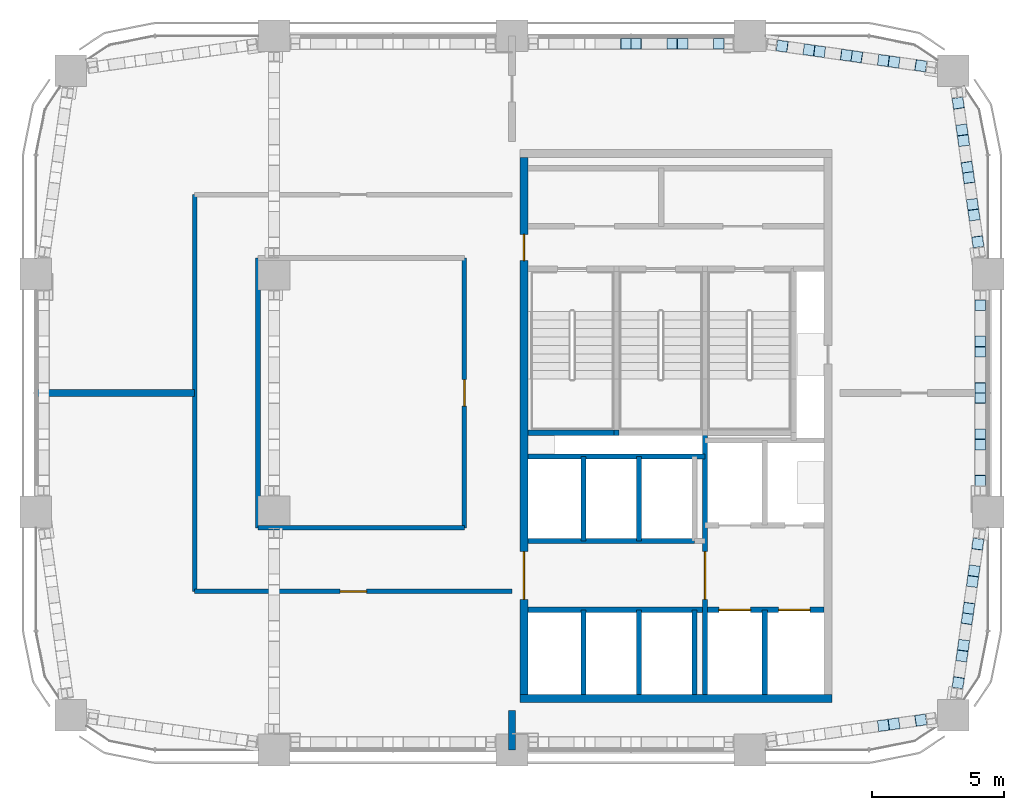
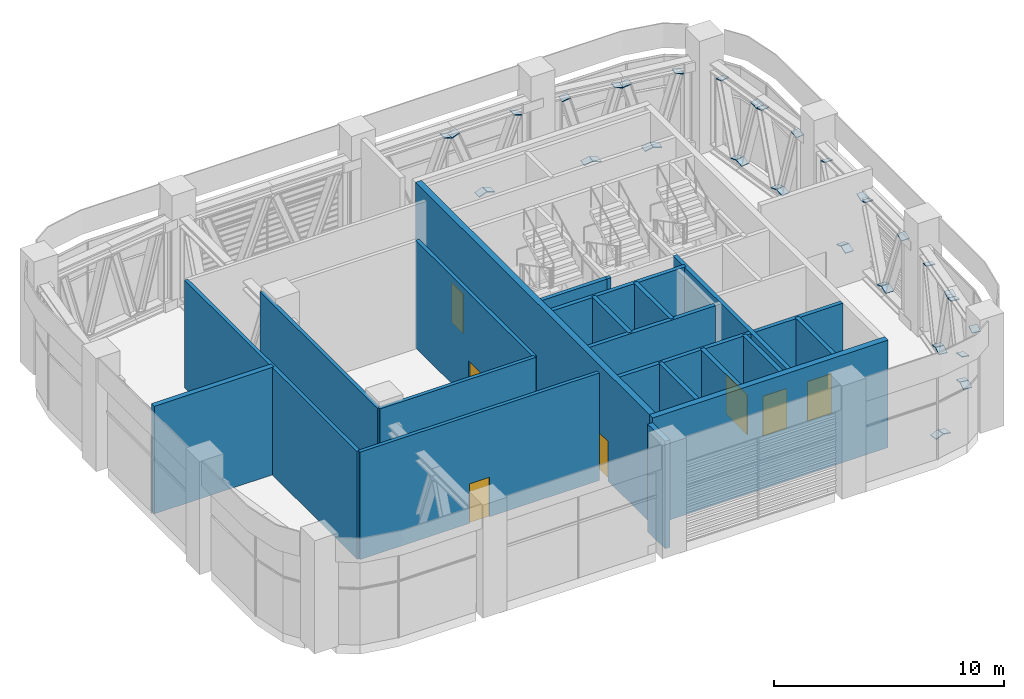
# One storey, part 9 of 14: 40 plates, 21 walls, 7 doors, 7 openings.
"""IFC4 building model written with IfcOpenShell, lengths in metres."""

import ifcopenshell
import ifcopenshell.guid

model = None  # the IFC model being written
_history = None  # IfcOwnerHistory: only IFC2X3 demands one
_inside = {}  # id of a spatial element -> (the spatial element, [elements in it])
_under = {}  # id of a project, library or spatial element -> (it, [spatial elements below it])
_declared = {}  # id of a project -> (the project, [libraries it declares])
_typed = {}  # id of a type object -> (the type object, [elements of that type])
_made_of = {}  # id of a material, layer set ... -> (it, [elements and type objects made of it])


def new_model(schema):
    """Start an empty IFC model of exactly this schema.

    Asked for "IFC4X3", IfcOpenShell would pick the latest addendum, in which some entities
    have other attributes; the version numbers below select the first issue.
    IFC2X3 requires an IfcOwnerHistory on every rooted entity: one is made here for all.
    """
    global model, _history
    if schema == "IFC4X3":
        model = ifcopenshell.file(schema_version=(4, 3, 0, 0))
    else:
        model = ifcopenshell.file(schema=schema)
    _inside.clear()
    _under.clear()
    _declared.clear()
    _typed.clear()
    _made_of.clear()
    _history = None
    if model.schema == "IFC2X3":
        org = make("IfcOrganization", Name="unknown")
        user = make(
            "IfcPersonAndOrganization",
            ThePerson=make("IfcPerson", FamilyName="unknown"),
            TheOrganization=org,
        )
        app = make(
            "IfcApplication",
            ApplicationDeveloper=org,
            Version="unknown",
            ApplicationFullName="unknown",
            ApplicationIdentifier="unknown",
        )
        _history = make(
            "IfcOwnerHistory",
            OwningUser=user,
            OwningApplication=app,
            ChangeAction="ADDED",
            CreationDate=0,
        )
    return model


def make(cls, **values):
    """One entity of the class cls with the attributes given. An attribute that is None is left unset."""
    return model.create_entity(
        cls, **{name: value for name, value in values.items() if value is not None}
    )


def rooted(cls, **values):
    """An entity with a GlobalId (a new one), such as an element, a storey or a relation."""
    return make(cls, GlobalId=ifcopenshell.guid.new(), OwnerHistory=_history, **values)


def si_unit(unit_type, name, prefix=None):
    """IfcSIUnit, for example si_unit("LENGTHUNIT", "METRE", prefix="MILLI")."""
    return make("IfcSIUnit", UnitType=unit_type, Prefix=prefix, Name=name)


def assignment(units):
    """IfcUnitAssignment: the units of a project."""
    return None if units is None else make("IfcUnitAssignment", Units=units)


def point(xyz):
    """IfcCartesianPoint."""
    return None if xyz is None else make("IfcCartesianPoint", Coordinates=xyz)


def direction(xyz):
    """IfcDirection."""
    return None if xyz is None else make("IfcDirection", DirectionRatios=xyz)


def frame(location, z_axis=None, x_axis=None):
    """IfcAxis2Placement3D, a coordinate frame: its origin and axes. An axis left out is left unset."""
    return make(
        "IfcAxis2Placement3D",
        Location=point(location),
        Axis=direction(z_axis),
        RefDirection=direction(x_axis),
    )


def frame_2d(location, x_axis=None):
    """IfcAxis2Placement2D, a coordinate frame in the plane: its origin and x axis."""
    return make(
        "IfcAxis2Placement2D", Location=point(location), RefDirection=direction(x_axis)
    )


def origin():
    """The frame at (0, 0, 0) with its axes left unset."""
    return frame((0.0, 0.0, 0.0))


def origin_2d():
    """The frame at (0, 0) in the plane with its x axis left unset."""
    return frame_2d((0.0, 0.0))


def place(relative_to, where):
    """IfcLocalPlacement: puts the frame where relative to a parent placement (None: the world)."""
    return make(
        "IfcLocalPlacement", PlacementRelTo=relative_to, RelativePlacement=where
    )


def context(
    kind, dimensions, precision=None, world=None, true_north=None, identifier=None
):
    """IfcGeometricRepresentationContext, for example the 3D "Model" context."""
    return make(
        "IfcGeometricRepresentationContext",
        ContextIdentifier=identifier,
        ContextType=kind,
        CoordinateSpaceDimension=dimensions,
        Precision=precision,
        WorldCoordinateSystem=world,
        TrueNorth=true_north,
    )


def subcontext(parent, identifier, kind, view, scale=None):
    """IfcGeometricRepresentationSubContext, for example "Body" below "Model"."""
    return make(
        "IfcGeometricRepresentationSubContext",
        ContextIdentifier=identifier,
        ContextType=kind,
        ParentContext=parent,
        TargetScale=scale,
        TargetView=view,
    )


def project(units=None, contexts=None):
    """IfcProject with its units and contexts."""
    return rooted(
        "IfcProject",
        Name="project",
        RepresentationContexts=contexts,
        UnitsInContext=assignment(units),
    )


def spatial(cls, under=None, at=None, **own):
    """A site, building, storey or space (cls), placed at a placement, below another one or the project."""
    s = rooted(cls, ObjectPlacement=at, **own)
    if under is not None:
        _under.setdefault(under.id(), (under, []))[1].append(s)
    return s


def profile(cls, at=None, kind="AREA", **sizes):
    """A parametric profile (cls). Its sizes go by their IFC names, for example OverallWidth=200.0."""
    return make(cls, ProfileType=kind, Position=at, **sizes)


def rectangle(**sizes):
    """IfcRectangleProfileDef."""
    return profile("IfcRectangleProfileDef", **sizes)


def extrude(swept, where, along, depth):
    """IfcExtrudedAreaSolid: the profile swept, set in the frame where, extruded along a direction by depth."""
    return make(
        "IfcExtrudedAreaSolid",
        SweptArea=swept,
        Position=where,
        ExtrudedDirection=direction(along),
        Depth=depth,
    )


def shape(context_of_items, identifier, shape_type, items):
    """IfcShapeRepresentation: the items that make up one representation, for example the "Body"."""
    return make(
        "IfcShapeRepresentation",
        ContextOfItems=context_of_items,
        RepresentationIdentifier=identifier,
        RepresentationType=shape_type,
        Items=items,
    )


def material(Name=None, Category=None):
    """IfcMaterial."""
    return make("IfcMaterial", Name=Name, Category=Category)


def layer(
    of_material, thickness, ventilated=None, Name=None, Category=None, Priority=None
):
    """IfcMaterialLayer: one layer of a wall or slab, of a material (None: an air gap)."""
    return make(
        "IfcMaterialLayer",
        Material=of_material,
        LayerThickness=thickness,
        IsVentilated=ventilated,
        Name=Name,
        Category=Category,
        Priority=Priority,
    )


def layer_set(layers, Name=None):
    """IfcMaterialLayerSet."""
    return make("IfcMaterialLayerSet", MaterialLayers=layers, LayerSetName=Name)


def made_of(thing, what):
    """Note that an element or type object is made of a material, layer set ...; save() writes the relation."""
    if what is not None:
        _made_of.setdefault(what.id(), (what, []))[1].append(thing)
    return thing


def type_object(cls, material=None, **own):
    """A type object (cls), such as IfcWallType, which elements share."""
    return made_of(rooted(cls, **own), material)


def element(
    cls,
    number,
    at=None,
    inside=None,
    cuts=None,
    type_object=None,
    material=None,
    context=None,
    identifier="Body",
    shape_type=None,
    held_by="IfcProductDefinitionShape",
    body=None,
    shapes=None,
    **own,
):
    """One element of the class cls, such as IfcWall. Its Tag is "e" and its number.

    at: its placement. inside: the storey or other place that contains it. cuts: it is an
    opening in that element (IfcRelVoidsElement). A single representation is given by context,
    identifier, shape_type and body (its items); several are given by shapes. held_by: the class
    of the entity that holds the representations. save() writes the other relations.
    """
    e = rooted(cls, Tag="e%d" % number, ObjectPlacement=at, **own)
    if body is not None:
        shapes = [shape(context, identifier, shape_type, body)]
    if shapes is not None:
        e.Representation = make(held_by, Representations=shapes)
    if inside is not None:
        _inside.setdefault(inside.id(), (inside, []))[1].append(e)
    if cuts is not None:
        rooted(
            "IfcRelVoidsElement", RelatingBuildingElement=cuts, RelatedOpeningElement=e
        )
    if type_object is not None:
        _typed.setdefault(type_object.id(), (type_object, []))[1].append(e)
    return made_of(e, material)


def fill(opening, filler):
    """IfcRelFillsElement: the door or window that sits in an opening."""
    return rooted(
        "IfcRelFillsElement",
        RelatingOpeningElement=opening,
        RelatedBuildingElement=filler,
    )


def aggregate(whole, parts):
    """IfcRelAggregates: a whole, such as a stair, and the parts it consists of."""
    return rooted("IfcRelAggregates", RelatingObject=whole, RelatedObjects=parts)


def save(model, path):
    """Write the relations noted so far, then the file.

    IfcRelAggregates (storeys below a building ...), IfcRelContainedInSpatialStructure (elements
    in a storey), IfcRelDefinesByType, IfcRelAssociatesMaterial and IfcRelDeclares: one each for
    every whole, place, type object, material and project.
    """
    for whole, parts in _under.values():
        aggregate(whole, parts)
    for where, things in _inside.values():
        rooted(
            "IfcRelContainedInSpatialStructure",
            RelatedElements=things,
            RelatingStructure=where,
        )
    for kind, things in _typed.values():
        rooted("IfcRelDefinesByType", RelatedObjects=things, RelatingType=kind)
    for what, things in _made_of.values():
        rooted("IfcRelAssociatesMaterial", RelatedObjects=things, RelatingMaterial=what)
    for by, libraries in _declared.values():
        rooted("IfcRelDeclares", RelatingContext=by, RelatedDefinitions=libraries)
    model.write(path)


model = new_model("IFC4")

# Units and contexts
model_context = context("Model", 3, precision=1e-05, world=origin(), true_north=direction((0.0, 1.0)))
body_context = subcontext(model_context, "Body", "Model", "MODEL_VIEW")
ifc_project = project(units=[si_unit("LENGTHUNIT", "METRE"), si_unit("AREAUNIT", "SQUARE_METRE"), si_unit("VOLUMEUNIT", "CUBIC_METRE"), si_unit("PLANEANGLEUNIT", "RADIAN"), si_unit("MASSUNIT", "GRAM", prefix="KILO")], contexts=[model_context])

# Site, building, storey
site_placement = place(None, origin())
site = spatial("IfcSite", under=ifc_project, at=site_placement, CompositionType="ELEMENT")
building_placement = place(site_placement, origin())
building = spatial("IfcBuilding", under=site, at=building_placement, Name="Tessera Arch", CompositionType="ELEMENT")
storey_placement = place(building_placement, frame((0.0, 0.0, 295.199951171875)))
storey = spatial("IfcBuildingStorey", under=building, at=storey_placement, Name="L71", CompositionType="ELEMENT", Elevation=295.199951171875)

# Plates
ifc_material_1 = material(Name="Steel A572 Gr50", Category="steel")
ifc_layer_1 = layer(ifc_material_1, 0.0400390625)
ifc_layer_set_1 = layer_set([ifc_layer_1], Name="End plate W14x257")
plate_type = type_object("IfcPlateType", Name="End plate W14x257", PredefinedType="SHEET", material=ifc_layer_set_1)
for number, where, z_axis, x_axis, name in (
    (1, (53.699951171875, 37.1806640625, 4.172607421875), (0.0, 0.354469991273, -0.935067390773), (-1.0, 0.0, 0.0), "End plate Belt truss diagonal 1 end 1"),
    (2, (53.699951171875, 38.545654296875, 0.564697265625), (0.0, 0.354469991273, -0.935067390773), (-1.0, 0.0, 0.0), "End plate Belt truss diagonal 1 end 2"),
    (3, (53.699951171875, 38.933837890625, 0.52734375), (0.0, 0.354469991273, 0.935067390773), (-1.0, 0.0, 0.0), "End plate Belt truss diagonal 2 end 1"),
    (4, (53.699951171875, 40.298828125, 4.13525390625), (0.0, 0.354469991273, 0.935067390773), (-1.0, 0.0, 0.0), "End plate Belt truss diagonal 2 end 2"),
    (5, (53.699951171875, 40.68701171875, 4.172607421875), (0.0, 0.354469991273, -0.935067390773), (-1.0, 0.0, 0.0), "End plate Belt truss diagonal 3 end 1"),
    (6, (53.699951171875, 42.052001953125, 0.564697265625), (0.0, 0.354469991273, -0.935067390773), (-1.0, 0.0, 0.0), "End plate Belt truss diagonal 3 end 2"),
    (7, (53.699951171875, 42.440185546875, 0.52734375), (0.0, 0.354469991273, 0.935067390773), (-1.0, 0.0, 0.0), "End plate Belt truss diagonal 4 end 1"),
    (8, (53.699951171875, 43.80517578125, 4.13525390625), (0.0, 0.354469991273, 0.935067390773), (-1.0, 0.0, 0.0), "End plate Belt truss diagonal 4 end 2"),
):
    element("IfcPlate", number, at=place(storey_placement, frame(where, z_axis=z_axis, x_axis=x_axis)), inside=storey, type_object=plate_type, Name=name, PredefinedType="SHEET", context=body_context, shape_type="SweptSolid", body=[
        extrude(rectangle(XDim=0.406494140625, YDim=0.41650390625, at=origin_2d()), origin(), (0.0, 0.0, 1.0), 0.0400390625),
    ])
plate_1_placement = place(storey_placement, frame((53.6103515625, 46.212158203125, 4.190673828125), z_axis=(-0.036773847241, 0.269674879765, -0.962249002797), x_axis=(-0.990830168044, -0.135113204733, 0.0)))
element("IfcPlate", 9, at=plate_1_placement, inside=storey, type_object=plate_type, Name="End plate Belt truss diagonal 1 end 1", PredefinedType="SHEET", context=body_context, shape_type="SweptSolid", body=[
    extrude(rectangle(XDim=0.406494140625, YDim=0.41650390625, at=origin_2d()), origin(), (0.0, 0.0, 1.0), 0.039794921875),
])
for number, where, z_axis, x_axis, name in (
    (10, (53.46728515625, 47.2236328125, 0.5478515625), (-0.0365581911, 0.2680934014, -0.962699032299), (-0.990830168044, -0.135113204733, 0.0), "End plate Belt truss diagonal 1 end 2"),
    (11, (53.4111328125, 47.619873046875, 0.50927734375), (-0.0365581911, 0.2680934014, 0.962699032299), (-0.990830168044, -0.135113204733, 0.0), "End plate Belt truss diagonal 2 end 1"),
):
    element("IfcPlate", number, at=place(storey_placement, frame(where, z_axis=z_axis, x_axis=x_axis)), inside=storey, type_object=plate_type, Name=name, PredefinedType="SHEET", context=body_context, shape_type="SweptSolid", body=[
        extrude(rectangle(XDim=0.406494140625, YDim=0.41650390625, at=origin_2d()), origin(), (0.0, 0.0, 1.0), 0.0400390625),
    ])
for number, where, z_axis, x_axis, name in (
    (12, (53.26806640625, 48.63134765625, 4.15234375), (-0.036773847241, 0.269674879765, 0.962249002797), (-0.990830168044, -0.135113204733, 0.0), "End plate Belt truss diagonal 2 end 2"),
    (13, (53.212158203125, 49.027587890625, 4.190673828125), (-0.042962576168, 0.263912967889, -0.96358920834), (-0.987007269931, -0.160675602082, 0.0), "End plate Belt truss diagonal 3 end 1"),
):
    element("IfcPlate", number, at=place(storey_placement, frame(where, z_axis=z_axis, x_axis=x_axis)), inside=storey, type_object=plate_type, Name=name, PredefinedType="SHEET", context=body_context, shape_type="SweptSolid", body=[
        extrude(rectangle(XDim=0.406494140625, YDim=0.41650390625, at=origin_2d()), origin(), (0.0, 0.0, 1.0), 0.039794921875),
    ])
for number, where, z_axis, x_axis, name in (
    (14, (53.06884765625, 50.0390625, 0.5478515625), (-0.0365581911, 0.2680934014, -0.962699032299), (-0.990830168044, -0.135113204733, 0.0), "End plate Belt truss diagonal 3 end 2"),
    (15, (53.012939453125, 50.43505859375, 0.50927734375), (-0.0365581911, 0.2680934014, 0.962699032299), (-0.990830168044, -0.135113204733, 0.0), "End plate Belt truss diagonal 4 end 1"),
):
    element("IfcPlate", number, at=place(storey_placement, frame(where, z_axis=z_axis, x_axis=x_axis)), inside=storey, type_object=plate_type, Name=name, PredefinedType="SHEET", context=body_context, shape_type="SweptSolid", body=[
        extrude(rectangle(XDim=0.406494140625, YDim=0.41650390625, at=origin_2d()), origin(), (0.0, 0.0, 1.0), 0.0400390625),
    ])
for number, where, z_axis, x_axis, name in (
    (16, (52.869873046875, 51.44677734375, 4.15234375), (-0.042892350114, 0.269609057858, 0.962014138266), (-0.987580306335, -0.157115048735, 0.0), "End plate Belt truss diagonal 4 end 2"),
    (17, (51.45751953125, 52.8681640625, 4.190673828125), (-0.269609057858, 0.042892350114, -0.962014138266), (-0.157115048735, -0.987580306335, 0.0), "End plate Belt truss diagonal 1 end 1"),
):
    element("IfcPlate", number, at=place(storey_placement, frame(where, z_axis=z_axis, x_axis=x_axis)), inside=storey, type_object=plate_type, Name=name, PredefinedType="SHEET", context=body_context, shape_type="SweptSolid", body=[
        extrude(rectangle(XDim=0.406494140625, YDim=0.41650390625, at=origin_2d()), origin(), (0.0, 0.0, 1.0), 0.039794921875),
    ])
for number, where, z_axis, x_axis, name in (
    (18, (50.44580078125, 53.011474609375, 0.5478515625), (-0.2680934014, 0.0365581911, -0.962699032299), (-0.135113204733, -0.990830168044, 0.0), "End plate Belt truss diagonal 1 end 2"),
    (19, (50.0498046875, 53.0673828125, 0.50927734375), (-0.2680934014, 0.0365581911, 0.962699032299), (-0.135113204733, -0.990830168044, 0.0), "End plate Belt truss diagonal 2 end 1"),
):
    element("IfcPlate", number, at=place(storey_placement, frame(where, z_axis=z_axis, x_axis=x_axis)), inside=storey, type_object=plate_type, Name=name, PredefinedType="SHEET", context=body_context, shape_type="SweptSolid", body=[
        extrude(rectangle(XDim=0.406494140625, YDim=0.41650390625, at=origin_2d()), origin(), (0.0, 0.0, 1.0), 0.0400390625),
    ])
for number, where, z_axis, x_axis, name in (
    (20, (49.0380859375, 53.21044921875, 4.15234375), (-0.263912967889, 0.042962576168, 0.96358920834), (-0.160675602082, -0.987007269931, 0.0), "End plate Belt truss diagonal 2 end 2"),
    (21, (48.64208984375, 53.2666015625, 4.190673828125), (-0.269674879765, 0.036773847241, -0.962249002797), (-0.135113204733, -0.990830168044, 0.0), "End plate Belt truss diagonal 3 end 1"),
):
    element("IfcPlate", number, at=place(storey_placement, frame(where, z_axis=z_axis, x_axis=x_axis)), inside=storey, type_object=plate_type, Name=name, PredefinedType="SHEET", context=body_context, shape_type="SweptSolid", body=[
        extrude(rectangle(XDim=0.406494140625, YDim=0.41650390625, at=origin_2d()), origin(), (0.0, 0.0, 1.0), 0.039794921875),
    ])
for number, where, z_axis, x_axis, name in (
    (22, (47.630615234375, 53.40966796875, 0.5478515625), (-0.2680934014, 0.0365581911, -0.962699032299), (-0.135113204733, -0.990830168044, 0.0), "End plate Belt truss diagonal 3 end 2"),
    (23, (47.234375, 53.4658203125, 0.50927734375), (-0.2680934014, 0.0365581911, 0.962699032299), (-0.135113204733, -0.990830168044, 0.0), "End plate Belt truss diagonal 4 end 1"),
):
    element("IfcPlate", number, at=place(storey_placement, frame(where, z_axis=z_axis, x_axis=x_axis)), inside=storey, type_object=plate_type, Name=name, PredefinedType="SHEET", context=body_context, shape_type="SweptSolid", body=[
        extrude(rectangle(XDim=0.406494140625, YDim=0.41650390625, at=origin_2d()), origin(), (0.0, 0.0, 1.0), 0.0400390625),
    ])
plate_2_placement = place(storey_placement, frame((46.222900390625, 53.60888671875, 4.15234375), z_axis=(-0.269674879765, 0.036773847241, 0.962249002797), x_axis=(-0.135113204733, -0.990830168044, 0.0)))
element("IfcPlate", 24, at=plate_2_placement, inside=storey, type_object=plate_type, Name="End plate Belt truss diagonal 4 end 2", PredefinedType="SHEET", context=body_context, shape_type="SweptSolid", body=[
    extrude(rectangle(XDim=0.406494140625, YDim=0.41650390625, at=origin_2d()), origin(), (0.0, 0.0, 1.0), 0.039794921875),
])
for number, where, z_axis, x_axis, name in (
    (25, (43.8193359375, 53.699951171875, 4.172607421875), (-0.354469991273, 0.0, -0.935067390773), (0.0, -1.0, 0.0), "End plate Belt truss diagonal 1 end 1"),
    (26, (42.454345703125, 53.699951171875, 0.564697265625), (-0.354469991273, 0.0, -0.935067390773), (0.0, -1.0, 0.0), "End plate Belt truss diagonal 1 end 2"),
    (27, (42.066162109375, 53.699951171875, 0.52734375), (-0.354469991273, 0.0, 0.935067390773), (0.0, -1.0, 0.0), "End plate Belt truss diagonal 2 end 1"),
    (28, (40.701171875, 53.699951171875, 4.13525390625), (-0.354469991273, 0.0, 0.935067390773), (0.0, -1.0, 0.0), "End plate Belt truss diagonal 2 end 2"),
    (29, (40.31298828125, 53.699951171875, 4.172607421875), (-0.354469991273, 0.0, -0.935067390773), (0.0, -1.0, 0.0), "End plate Belt truss diagonal 3 end 1"),
    (30, (50.0390625, 27.93115234375, 0.5478515625), (0.2680934014, 0.0365581911, -0.962699032299), (-0.135113204733, 0.990830168044, 0.0), "End plate Belt truss diagonal 3 end 2"),
    (31, (50.43505859375, 27.987060546875, 0.50927734375), (0.2680934014, 0.0365581911, 0.962699032299), (-0.135113204733, 0.990830168044, 0.0), "End plate Belt truss diagonal 4 end 1"),
):
    element("IfcPlate", number, at=place(storey_placement, frame(where, z_axis=z_axis, x_axis=x_axis)), inside=storey, type_object=plate_type, Name=name, PredefinedType="SHEET", context=body_context, shape_type="SweptSolid", body=[
        extrude(rectangle(XDim=0.406494140625, YDim=0.41650390625, at=origin_2d()), origin(), (0.0, 0.0, 1.0), 0.0400390625),
    ])
for number, where, z_axis, x_axis, name in (
    (32, (51.44677734375, 28.130126953125, 4.15234375), (0.269609057858, 0.042892350114, 0.962014138266), (-0.157115048735, 0.987580306335, 0.0), "End plate Belt truss diagonal 4 end 2"),
    (33, (52.8681640625, 29.54248046875, 4.190673828125), (0.042892350114, 0.269609057858, -0.962014138266), (-0.987580306335, 0.157115048735, 0.0), "End plate Belt truss diagonal 1 end 1"),
):
    element("IfcPlate", number, at=place(storey_placement, frame(where, z_axis=z_axis, x_axis=x_axis)), inside=storey, type_object=plate_type, Name=name, PredefinedType="SHEET", context=body_context, shape_type="SweptSolid", body=[
        extrude(rectangle(XDim=0.406494140625, YDim=0.41650390625, at=origin_2d()), origin(), (0.0, 0.0, 1.0), 0.039794921875),
    ])
for number, where, z_axis, x_axis, name in (
    (34, (53.011474609375, 30.55419921875, 0.5478515625), (0.0365581911, 0.2680934014, -0.962699032299), (-0.990830168044, 0.135113204733, 0.0), "End plate Belt truss diagonal 1 end 2"),
    (35, (53.0673828125, 30.9501953125, 0.50927734375), (0.0365581911, 0.2680934014, 0.962699032299), (-0.990830168044, 0.135113204733, 0.0), "End plate Belt truss diagonal 2 end 1"),
):
    element("IfcPlate", number, at=place(storey_placement, frame(where, z_axis=z_axis, x_axis=x_axis)), inside=storey, type_object=plate_type, Name=name, PredefinedType="SHEET", context=body_context, shape_type="SweptSolid", body=[
        extrude(rectangle(XDim=0.406494140625, YDim=0.41650390625, at=origin_2d()), origin(), (0.0, 0.0, 1.0), 0.0400390625),
    ])
for number, where, z_axis, x_axis, name in (
    (36, (53.21044921875, 31.9619140625, 4.15234375), (0.042962576168, 0.263912967889, 0.96358920834), (-0.987007269931, 0.160675602082, 0.0), "End plate Belt truss diagonal 2 end 2"),
    (37, (53.2666015625, 32.35791015625, 4.190673828125), (0.036773847241, 0.269674879765, -0.962249002797), (-0.990830168044, 0.135113204733, 0.0), "End plate Belt truss diagonal 3 end 1"),
):
    element("IfcPlate", number, at=place(storey_placement, frame(where, z_axis=z_axis, x_axis=x_axis)), inside=storey, type_object=plate_type, Name=name, PredefinedType="SHEET", context=body_context, shape_type="SweptSolid", body=[
        extrude(rectangle(XDim=0.406494140625, YDim=0.41650390625, at=origin_2d()), origin(), (0.0, 0.0, 1.0), 0.039794921875),
    ])
for number, where, z_axis, x_axis, name in (
    (38, (53.40966796875, 33.369384765625, 0.5478515625), (0.0365581911, 0.2680934014, -0.962699032299), (-0.990830168044, 0.135113204733, 0.0), "End plate Belt truss diagonal 3 end 2"),
    (39, (53.4658203125, 33.765625, 0.50927734375), (0.0365581911, 0.2680934014, 0.962699032299), (-0.990830168044, 0.135113204733, 0.0), "End plate Belt truss diagonal 4 end 1"),
):
    element("IfcPlate", number, at=place(storey_placement, frame(where, z_axis=z_axis, x_axis=x_axis)), inside=storey, type_object=plate_type, Name=name, PredefinedType="SHEET", context=body_context, shape_type="SweptSolid", body=[
        extrude(rectangle(XDim=0.406494140625, YDim=0.41650390625, at=origin_2d()), origin(), (0.0, 0.0, 1.0), 0.0400390625),
    ])
plate_3_placement = place(storey_placement, frame((53.60888671875, 34.777099609375, 4.15234375), z_axis=(0.036773847241, 0.269674879765, 0.962249002797), x_axis=(-0.990830168044, 0.135113204733, 0.0)))
element("IfcPlate", 40, at=plate_3_placement, inside=storey, type_object=plate_type, Name="End plate Belt truss diagonal 4 end 2", PredefinedType="SHEET", context=body_context, shape_type="SweptSolid", body=[
    extrude(rectangle(XDim=0.406494140625, YDim=0.41650390625, at=origin_2d()), origin(), (0.0, 0.0, 1.0), 0.039794921875),
])

# Wall
ifc_material_2 = material(Name="Concrete C50/60", Category="concrete")
ifc_layer_2 = layer(ifc_material_2, 0.300048828125)
ifc_layer_set_2 = layer_set([ifc_layer_2], Name="Core shell wall 300 C50-60")
wall_type_1 = type_object("IfcWallType", Name="Core shell wall 300 C50-60", PredefinedType="SHEAR", material=ifc_layer_set_2)
wall_1_placement = place(storey_placement, frame((36.300048828125, 28.949951171875, 0.0), z_axis=(0.0, 0.0, 1.0), x_axis=(1.0, 0.0, 0.0)))
element("IfcWall", 41, at=wall_1_placement, inside=storey, type_object=wall_type_1, Name="L71 C1 core wall S", PredefinedType="SHEAR", context=body_context, shape_type="SweptSolid", body=[
    extrude(rectangle(XDim=11.800048828125, YDim=0.300048828125, at=frame_2d((5.89990234375, 0.0))), origin(), (0.0, 0.0, 1.0), 5.699951171875),
])

# Wall, openings, doors
wall_2_placement = place(storey_placement, frame((36.449951171875, 29.10009765625, 0.0), z_axis=(0.0, 0.0, 1.0), x_axis=(0.0, 1.0, 0.0)))
wall_2 = element("IfcWall", 42, at=wall_2_placement, inside=storey, type_object=wall_type_1, Name="L71 C1 core wall W", PredefinedType="SHEAR", context=body_context, shape_type="SweptSolid", body=[
    extrude(rectangle(XDim=20.2998046875, YDim=0.300048828125, at=frame_2d((10.14990234375, 0.0))), origin(), (0.0, 0.0, 1.0), 5.699951171875),
])
opening_1_placement = place(wall_2_placement, frame((3.60009765625, 0.0, 0.0)))
opening_1 = element("IfcOpeningElement", 43, at=opening_1_placement, cuts=wall_2, Name="Opening L71-C04", PredefinedType="OPENING", context=body_context, shape_type="SweptSolid", body=[
    extrude(rectangle(XDim=1.800048828125, YDim=2.10009765625, at=frame_2d((0.89990234375, 1.050048828125))), frame((0.0, 0.159912109375, 0.0), z_axis=(0.0, -1.0, 0.0), x_axis=(1.0, 0.0, 0.0)), (0.0, 0.0, 1.0), 0.320068359375),
])
opening_2_placement = place(wall_2_placement, frame((16.39990234375, 0.0, 0.0)))
opening_2 = element("IfcOpeningElement", 44, at=opening_2_placement, cuts=wall_2, Name="Opening L71-C11", PredefinedType="OPENING", context=body_context, shape_type="SweptSolid", body=[
    extrude(rectangle(XDim=1.0, YDim=2.10009765625, at=frame_2d((0.5, 1.050048828125))), frame((0.0, 0.159912109375, 0.0), z_axis=(0.0, -1.0, 0.0), x_axis=(1.0, 0.0, 0.0)), (0.0, 0.0, 1.0), 0.320068359375),
])
ifc_material_3 = material(Name="Steel door leaf", Category="steel")
door_type_1 = type_object("IfcDoorType", Name="Corridor door FD60 1000 x 2100", OperationType="SINGLE_SWING_LEFT", PredefinedType="DOOR", material=ifc_material_3)
door_1_placement = place(opening_2_placement, origin())
door_1 = element("IfcDoor", 45, at=door_1_placement, inside=storey, type_object=door_type_1, Name="L71 C1 door 11 C11 type D12", OperationType="SINGLE_SWING_RIGHT", OverallHeight=2.10009765625, OverallWidth=1.0, PredefinedType="DOOR", context=body_context, shape_type="SweptSolid", body=[
    extrude(rectangle(XDim=1.0, YDim=2.10009765625, at=frame_2d((0.5, 1.050048828125))), frame((0.0, 0.02490234375, 0.0), z_axis=(0.0, -1.0, 0.0), x_axis=(1.0, 0.0, 0.0)), (0.0, 0.0, 1.0), 0.050048828125),
])
fill(opening_2, door_1)
ifc_material_4 = material(Name="Glazed steel door leaf", Category="steel")
door_type_2 = type_object("IfcDoorType", Name="Lobby double door FD60 1800 x 2100", OperationType="DOUBLE_DOOR_SINGLE_SWING", PredefinedType="DOOR", material=ifc_material_4)
door_2_placement = place(opening_1_placement, origin())
door_2 = element("IfcDoor", 46, at=door_2_placement, inside=storey, type_object=door_type_2, Name="L71 C1 door 4 C04 type D19", OperationType="DOUBLE_DOOR_SINGLE_SWING", OverallHeight=2.10009765625, OverallWidth=1.800048828125, PredefinedType="DOOR", context=body_context, shape_type="SweptSolid", body=[
    extrude(rectangle(XDim=1.800048828125, YDim=2.10009765625, at=frame_2d((0.89990234375, 1.050048828125))), frame((0.0, 0.02490234375, 0.0), z_axis=(0.0, -1.0, 0.0), x_axis=(1.0, 0.0, 0.0)), (0.0, 0.0, 1.0), 0.050048828125),
])
fill(opening_1, door_2)

# Wall, opening, door
ifc_material_5 = material(Name="Gypsum board on deep steel stud with mineral wool", Category="steel")
ifc_layer_3 = layer(ifc_material_5, 0.175048828125)
ifc_layer_set_3 = layer_set([ifc_layer_3], Name="Corridor wall 175 EI 60")
wall_type_2 = type_object("IfcWallType", Name="Corridor wall 175 EI 60", PredefinedType="PARTITIONING", material=ifc_layer_set_3)
wall_3_placement = place(storey_placement, frame((24.0, 33.0, 0.0), z_axis=(0.0, 0.0, 1.0), x_axis=(1.0, 0.0, 0.0)))
wall_3 = element("IfcWall", 47, at=wall_3_placement, inside=storey, type_object=wall_type_2, Name="L71 partition 1", PredefinedType="PARTITIONING", context=body_context, shape_type="SweptSolid", body=[
    extrude(rectangle(XDim=12.0, YDim=0.175048828125, at=frame_2d((6.0, 0.0))), origin(), (0.0, 0.0, 1.0), 5.699951171875),
])
opening_3_placement = place(wall_3_placement, frame((5.5, 0.0, 0.0)))
opening_3 = element("IfcOpeningElement", 48, at=opening_3_placement, cuts=wall_3, Name="Opening L71-D001", PredefinedType="OPENING", context=body_context, shape_type="SweptSolid", body=[
    extrude(rectangle(XDim=1.0, YDim=2.10009765625, at=frame_2d((0.5, 1.050048828125))), frame((0.0, 0.097412109375, 0.0), z_axis=(0.0, -1.0, 0.0), x_axis=(1.0, 0.0, 0.0)), (0.0, 0.0, 1.0), 0.195068359375),
])
ifc_material_6 = material(Name="Fire-rated door leaf")
door_type_3 = type_object("IfcDoorType", Name="Entrance door FD60 1000 x 2100", OperationType="SINGLE_SWING_LEFT", PredefinedType="DOOR", material=ifc_material_6)
door_3_placement = place(opening_3_placement, origin())
door_3 = element("IfcDoor", 49, at=door_3_placement, inside=storey, type_object=door_type_3, Name="L71 door D001 type D16", OperationType="SINGLE_SWING_LEFT", OverallHeight=2.10009765625, OverallWidth=1.0, PredefinedType="DOOR", context=body_context, shape_type="SweptSolid", body=[
    extrude(rectangle(XDim=1.0, YDim=2.10009765625, at=frame_2d((0.5, 1.050048828125))), frame((0.0, 0.02490234375, 0.0), z_axis=(0.0, -1.0, 0.0), x_axis=(1.0, 0.0, 0.0)), (0.0, 0.0, 1.0), 0.050048828125),
])
fill(opening_3, door_3)

# Walls
wall_4_placement = place(storey_placement, frame((26.39990234375, 35.39990234375, 0.0), z_axis=(0.0, 0.0, 1.0), x_axis=(1.0, 0.0, 0.0)))
element("IfcWall", 50, at=wall_4_placement, inside=storey, type_object=wall_type_2, Name="L71 partition 2", PredefinedType="PARTITIONING", context=body_context, shape_type="SweptSolid", body=[
    extrude(rectangle(XDim=7.800048828125, YDim=0.175048828125, at=frame_2d((3.89990234375, 0.0))), origin(), (0.0, 0.0, 1.0), 5.699951171875),
])
wall_5_placement = place(storey_placement, frame((24.0, 33.0, 0.0), z_axis=(0.0, 0.0, 1.0), x_axis=(0.0, 1.0, 0.0)))
element("IfcWall", 51, at=wall_5_placement, inside=storey, type_object=wall_type_2, Name="L71 partition 5", PredefinedType="PARTITIONING", context=body_context, shape_type="SweptSolid", body=[
    extrude(rectangle(XDim=15.0, YDim=0.175048828125, at=frame_2d((7.5, 0.0))), origin(), (0.0, 0.0, 1.0), 5.699951171875),
])
wall_6_placement = place(storey_placement, frame((26.39990234375, 35.39990234375, 0.0), z_axis=(0.0, 0.0, 1.0), x_axis=(0.0, 1.0, 0.0)))
element("IfcWall", 52, at=wall_6_placement, inside=storey, type_object=wall_type_2, Name="L71 partition 6", PredefinedType="PARTITIONING", context=body_context, shape_type="SweptSolid", body=[
    extrude(rectangle(XDim=10.2001953125, YDim=0.175048828125, at=frame_2d((5.10009765625, 0.0))), origin(), (0.0, 0.0, 1.0), 5.699951171875),
])

# Wall, opening, door
wall_7_placement = place(storey_placement, frame((34.199951171875, 35.39990234375, 0.0), z_axis=(0.0, 0.0, 1.0), x_axis=(0.0, 1.0, 0.0)))
wall_7 = element("IfcWall", 53, at=wall_7_placement, inside=storey, type_object=wall_type_2, Name="L71 partition 7", PredefinedType="PARTITIONING", context=body_context, shape_type="SweptSolid", body=[
    extrude(rectangle(XDim=10.2001953125, YDim=0.175048828125, at=frame_2d((5.10009765625, 0.0))), origin(), (0.0, 0.0, 1.0), 5.699951171875),
])
opening_4_placement = place(wall_7_placement, frame((4.60009765625, 0.0, 0.0)))
opening_4 = element("IfcOpeningElement", 54, at=opening_4_placement, cuts=wall_7, Name="Opening L71-D003", PredefinedType="OPENING", context=body_context, shape_type="SweptSolid", body=[
    extrude(rectangle(XDim=1.0, YDim=2.10009765625, at=frame_2d((0.5, 1.050048828125))), frame((0.0, 0.097412109375, 0.0), z_axis=(0.0, -1.0, 0.0), x_axis=(1.0, 0.0, 0.0)), (0.0, 0.0, 1.0), 0.195068359375),
])
door_4_placement = place(opening_4_placement, origin())
door_4 = element("IfcDoor", 55, at=door_4_placement, inside=storey, type_object=door_type_3, Name="L71 door D003 type D16", OperationType="SINGLE_SWING_RIGHT", OverallHeight=2.10009765625, OverallWidth=1.0, PredefinedType="DOOR", context=body_context, shape_type="SweptSolid", body=[
    extrude(rectangle(XDim=1.0, YDim=2.10009765625, at=frame_2d((0.5, 1.050048828125))), frame((0.0, 0.02490234375, 0.0), z_axis=(0.0, -1.0, 0.0), x_axis=(1.0, 0.0, 0.0)), (0.0, 0.0, 1.0), 0.050048828125),
])
fill(opening_4, door_4)

# Walls
ifc_material_7 = material(Name="Double gypsum board on twin steel stud with acoustic mineral wool", Category="steel")
ifc_layer_4 = layer(ifc_material_7, 0.25)
ifc_layer_set_4 = layer_set([ifc_layer_4], Name="Party wall 250 EI 60")
wall_type_3 = type_object("IfcWallType", Name="Party wall 250 EI 60", PredefinedType="PARTITIONING", material=ifc_layer_set_4)
wall_8_placement = place(storey_placement, frame((18.0, 40.5, 0.0), z_axis=(0.0, 0.0, 1.0), x_axis=(1.0, 0.0, 0.0)))
element("IfcWall", 56, at=wall_8_placement, inside=storey, type_object=wall_type_3, Name="L71 partition 8", PredefinedType="PARTITIONING", context=body_context, shape_type="SweptSolid", body=[
    extrude(rectangle(XDim=6.0, YDim=0.25, at=frame_2d((3.0, 0.0))), origin(), (0.0, 0.0, 1.0), 5.699951171875),
])
wall_9_placement = place(storey_placement, frame((36.0, 27.0, 0.0), z_axis=(0.0, 0.0, 1.0), x_axis=(0.0, 1.0, 0.0)))
element("IfcWall", 57, at=wall_9_placement, inside=storey, type_object=wall_type_3, Name="L71 partition 10", PredefinedType="PARTITIONING", context=body_context, shape_type="SweptSolid", body=[
    extrude(rectangle(XDim=1.5, YDim=0.25, at=frame_2d((0.75, 0.0))), origin(), (0.0, 0.0, 1.0), 5.699951171875),
])
ifc_material_8 = material(Name="Concrete C40/50", Category="concrete")
ifc_layer_5 = layer(ifc_material_8, 0.199951171875)
ifc_layer_set_5 = layer_set([ifc_layer_5], Name="Shaft wall 200 EI 120")
wall_type_4 = type_object("IfcWallType", Name="Shaft wall 200 EI 120", PredefinedType="SOLIDWALL", material=ifc_layer_set_5)
wall_10_placement = place(storey_placement, frame((38.699951171875, 29.10009765625, 0.0), z_axis=(0.0, 0.0, 1.0), x_axis=(0.0, 1.0, 0.0)))
element("IfcWall", 58, at=wall_10_placement, inside=storey, type_object=wall_type_4, Name="L71 C1 shaft wall 1", PredefinedType="SOLIDWALL", context=body_context, shape_type="SweptSolid", body=[
    extrude(rectangle(XDim=3.199951171875, YDim=0.199951171875, at=frame_2d((1.60009765625, 0.0))), origin(), (0.0, 0.0, 1.0), 5.699951171875),
])
wall_11_placement = place(storey_placement, frame((38.699951171875, 34.89990234375, 0.0), z_axis=(0.0, 0.0, 1.0), x_axis=(0.0, 1.0, 0.0)))
element("IfcWall", 59, at=wall_11_placement, inside=storey, type_object=wall_type_4, Name="L71 C1 shaft wall 2", PredefinedType="SOLIDWALL", context=body_context, shape_type="SweptSolid", body=[
    extrude(rectangle(XDim=3.2001953125, YDim=0.199951171875, at=frame_2d((1.60009765625, 0.0))), origin(), (0.0, 0.0, 1.0), 5.699951171875),
])
wall_12_placement = place(storey_placement, frame((40.800048828125, 29.10009765625, 0.0), z_axis=(0.0, 0.0, 1.0), x_axis=(0.0, 1.0, 0.0)))
element("IfcWall", 60, at=wall_12_placement, inside=storey, type_object=wall_type_4, Name="L71 C1 shaft wall 6", PredefinedType="SOLIDWALL", context=body_context, shape_type="SweptSolid", body=[
    extrude(rectangle(XDim=3.199951171875, YDim=0.199951171875, at=frame_2d((1.60009765625, 0.0))), origin(), (0.0, 0.0, 1.0), 5.699951171875),
])
wall_13_placement = place(storey_placement, frame((40.800048828125, 34.89990234375, 0.0), z_axis=(0.0, 0.0, 1.0), x_axis=(0.0, 1.0, 0.0)))
element("IfcWall", 61, at=wall_13_placement, inside=storey, type_object=wall_type_4, Name="L71 C1 shaft wall 7", PredefinedType="SOLIDWALL", context=body_context, shape_type="SweptSolid", body=[
    extrude(rectangle(XDim=3.2001953125, YDim=0.199951171875, at=frame_2d((1.60009765625, 0.0))), origin(), (0.0, 0.0, 1.0), 5.699951171875),
])
wall_14_placement = place(storey_placement, frame((42.89990234375, 29.10009765625, 0.0), z_axis=(0.0, 0.0, 1.0), x_axis=(0.0, 1.0, 0.0)))
element("IfcWall", 62, at=wall_14_placement, inside=storey, type_object=wall_type_4, Name="L71 C1 shaft wall 9", PredefinedType="SOLIDWALL", context=body_context, shape_type="SweptSolid", body=[
    extrude(rectangle(XDim=3.199951171875, YDim=0.199951171875, at=frame_2d((1.60009765625, 0.0))), origin(), (0.0, 0.0, 1.0), 5.699951171875),
])

# Wall, opening, door
wall_15_placement = place(storey_placement, frame((43.300048828125, 29.10009765625, 0.0), z_axis=(0.0, 0.0, 1.0), x_axis=(0.0, 1.0, 0.0)))
wall_15 = element("IfcWall", 63, at=wall_15_placement, inside=storey, type_object=wall_type_4, Name="L71 C1 shaft wall 11", PredefinedType="SOLIDWALL", context=body_context, shape_type="SweptSolid", body=[
    extrude(rectangle(XDim=9.89990234375, YDim=0.199951171875, at=frame_2d((4.949951171875, 0.0))), origin(), (0.0, 0.0, 1.0), 5.699951171875),
])
opening_5_placement = place(wall_15_placement, frame((3.60009765625, 0.0, 0.0)))
opening_5 = element("IfcOpeningElement", 64, at=opening_5_placement, cuts=wall_15, Name="Opening L71-C09", PredefinedType="OPENING", context=body_context, shape_type="SweptSolid", body=[
    extrude(rectangle(XDim=1.800048828125, YDim=2.10009765625, at=frame_2d((0.89990234375, 1.050048828125))), frame((0.0, 0.10986328125, 0.0), z_axis=(0.0, -1.0, 0.0), x_axis=(1.0, 0.0, 0.0)), (0.0, 0.0, 1.0), 0.219970703125),
])
door_5_placement = place(opening_5_placement, origin())
door_5 = element("IfcDoor", 65, at=door_5_placement, inside=storey, type_object=door_type_2, Name="L71 C1 door 9 C09 type D19", OperationType="DOUBLE_DOOR_SINGLE_SWING", OverallHeight=2.10009765625, OverallWidth=1.800048828125, PredefinedType="DOOR", context=body_context, shape_type="SweptSolid", body=[
    extrude(rectangle(XDim=1.800048828125, YDim=2.10009765625, at=frame_2d((0.89990234375, 1.050048828125))), frame((0.0, 0.02490234375, 0.0), z_axis=(0.0, -1.0, 0.0), x_axis=(1.0, 0.0, 0.0)), (0.0, 0.0, 1.0), 0.050048828125),
])
fill(opening_5, door_5)

# Wall
wall_16_placement = place(storey_placement, frame((45.550048828125, 29.10009765625, 0.0), z_axis=(0.0, 0.0, 1.0), x_axis=(0.0, 1.0, 0.0)))
element("IfcWall", 66, at=wall_16_placement, inside=storey, type_object=wall_type_4, Name="L71 C1 shaft wall 15", PredefinedType="SOLIDWALL", context=body_context, shape_type="SweptSolid", body=[
    extrude(rectangle(XDim=3.199951171875, YDim=0.199951171875, at=frame_2d((1.60009765625, 0.0))), origin(), (0.0, 0.0, 1.0), 5.699951171875),
])

# Wall, openings, doors
wall_17_placement = place(storey_placement, frame((36.60009765625, 32.300048828125, 0.0), z_axis=(0.0, 0.0, 1.0), x_axis=(1.0, 0.0, 0.0)))
wall_17 = element("IfcWall", 67, at=wall_17_placement, inside=storey, type_object=wall_type_4, Name="L71 C1 shaft wall 21", PredefinedType="SOLIDWALL", context=body_context, shape_type="SweptSolid", body=[
    extrude(rectangle(XDim=11.199951171875, YDim=0.199951171875, at=frame_2d((5.60009765625, 0.0))), origin(), (0.0, 0.0, 1.0), 5.699951171875),
])
opening_6_placement = place(wall_17_placement, frame((7.22509765625, 0.0, 0.0)))
opening_6 = element("IfcOpeningElement", 68, at=opening_6_placement, cuts=wall_17, Name="Opening L71-C01", PredefinedType="OPENING", context=body_context, shape_type="SweptSolid", body=[
    extrude(rectangle(XDim=1.199951171875, YDim=2.10009765625, at=frame_2d((0.60009765625, 1.050048828125))), frame((0.0, 0.10986328125, 0.0), z_axis=(0.0, -1.0, 0.0), x_axis=(1.0, 0.0, 0.0)), (0.0, 0.0, 1.0), 0.219970703125),
])
opening_7_placement = place(wall_17_placement, frame((9.47509765625, 0.0, 0.0)))
opening_7 = element("IfcOpeningElement", 69, at=opening_7_placement, cuts=wall_17, Name="Opening L71-C02", PredefinedType="OPENING", context=body_context, shape_type="SweptSolid", body=[
    extrude(rectangle(XDim=1.199951171875, YDim=2.10009765625, at=frame_2d((0.60009765625, 1.050048828125))), frame((0.0, 0.10986328125, 0.0), z_axis=(0.0, -1.0, 0.0), x_axis=(1.0, 0.0, 0.0)), (0.0, 0.0, 1.0), 0.219970703125),
])
ifc_material_9 = material(Name="Stainless steel AISI 304", Category="steel")
door_type_4 = type_object("IfcDoorType", Name="Sliding landing door 1200 x 2100", OperationType="SLIDING_TO_LEFT", PredefinedType="DOOR", material=ifc_material_9)
door_6_placement = place(opening_6_placement, origin())
door_6 = element("IfcDoor", 70, at=door_6_placement, inside=storey, type_object=door_type_4, Name="L71 FF1 lift landing door C01 type LD", OperationType="SLIDING_TO_LEFT", OverallHeight=2.10009765625, OverallWidth=1.199951171875, PredefinedType="DOOR", context=body_context, shape_type="SweptSolid", body=[
    extrude(rectangle(XDim=1.199951171875, YDim=2.10009765625, at=frame_2d((0.60009765625, 1.050048828125))), frame((0.0, 0.02490234375, 0.0), z_axis=(0.0, -1.0, 0.0), x_axis=(1.0, 0.0, 0.0)), (0.0, 0.0, 1.0), 0.050048828125),
])
fill(opening_6, door_6)
door_7_placement = place(opening_7_placement, origin())
door_7 = element("IfcDoor", 71, at=door_7_placement, inside=storey, type_object=door_type_4, Name="L71 FF2 lift landing door C02 type LD", OperationType="SLIDING_TO_LEFT", OverallHeight=2.10009765625, OverallWidth=1.199951171875, PredefinedType="DOOR", context=body_context, shape_type="SweptSolid", body=[
    extrude(rectangle(XDim=1.199951171875, YDim=2.10009765625, at=frame_2d((0.60009765625, 1.050048828125))), frame((0.0, 0.02490234375, 0.0), z_axis=(0.0, -1.0, 0.0), x_axis=(1.0, 0.0, 0.0)), (0.0, 0.0, 1.0), 0.050048828125),
])
fill(opening_7, door_7)

# Walls
wall_18_placement = place(storey_placement, frame((36.60009765625, 34.89990234375, 0.0), z_axis=(0.0, 0.0, 1.0), x_axis=(1.0, 0.0, 0.0)))
element("IfcWall", 72, at=wall_18_placement, inside=storey, type_object=wall_type_4, Name="L71 C1 shaft wall 23", PredefinedType="SOLIDWALL", context=body_context, shape_type="SweptSolid", body=[
    extrude(rectangle(XDim=6.2998046875, YDim=0.199951171875, at=frame_2d((3.14990234375, 0.0))), origin(), (0.0, 0.0, 1.0), 5.699951171875),
])
wall_19_placement = place(storey_placement, frame((36.60009765625, 38.10009765625, 0.0), z_axis=(0.0, 0.0, 1.0), x_axis=(1.0, 0.0, 0.0)))
element("IfcWall", 73, at=wall_19_placement, inside=storey, type_object=wall_type_4, Name="L71 C1 shaft wall 25", PredefinedType="SOLIDWALL", context=body_context, shape_type="SweptSolid", body=[
    extrude(rectangle(XDim=6.699951171875, YDim=0.199951171875, at=frame_2d((3.35009765625, 0.0))), origin(), (0.0, 0.0, 1.0), 5.699951171875),
])
ifc_material_10 = material(Name="Concrete C40/50", Category="concrete")
ifc_layer_6 = layer(ifc_material_10, 0.199951171875)
ifc_layer_set_6 = layer_set([ifc_layer_6], Name="Stair well wall 200 REI 180")
wall_type_5 = type_object("IfcWallType", Name="Stair well wall 200 REI 180", PredefinedType="SOLIDWALL", material=ifc_layer_set_6)
wall_20_placement = place(storey_placement, frame((36.60009765625, 39.0, 0.0), z_axis=(0.0, 0.0, 1.0), x_axis=(1.0, 0.0, 0.0)))
element("IfcWall", 74, at=wall_20_placement, inside=storey, type_object=wall_type_5, Name="L71 C1 shaft wall 27", PredefinedType="SOLIDWALL", context=body_context, shape_type="SweptSolid", body=[
    extrude(rectangle(XDim=3.25, YDim=0.199951171875, at=frame_2d((1.625, 0.0))), origin(), (0.0, 0.0, 1.0), 5.699951171875),
])
wall_21_placement = place(storey_placement, frame((39.85009765625, 39.0, 0.0), z_axis=(0.0, 0.0, 1.0), x_axis=(1.0, 0.0, 0.0)))
element("IfcWall", 75, at=wall_21_placement, inside=storey, type_object=wall_type_5, Name="L71 C1 shaft wall 28", PredefinedType="SOLIDWALL", context=body_context, shape_type="SweptSolid", body=[
    extrude(rectangle(XDim=0.199951171875, YDim=0.199951171875, at=frame_2d((0.10009765625, 0.0))), origin(), (0.0, 0.0, 1.0), 5.699951171875),
])

save(model, "model.ifc")
